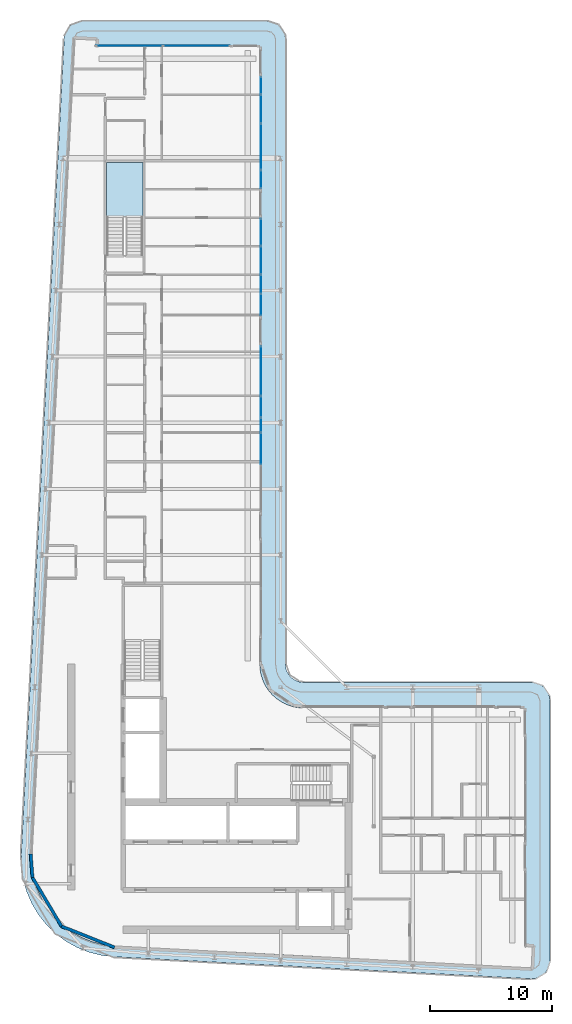
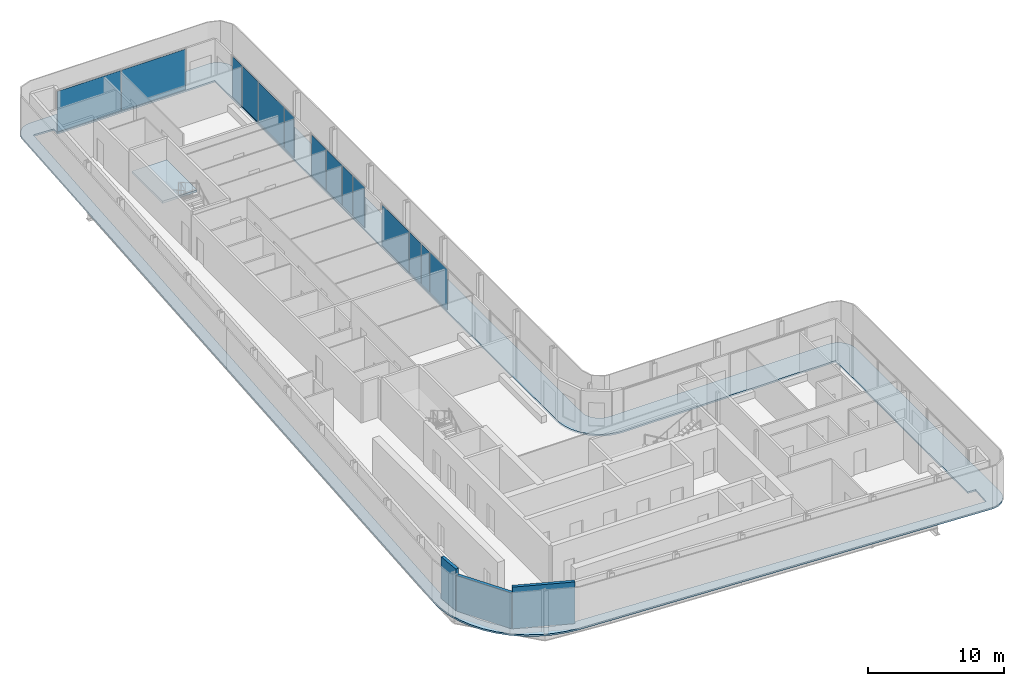
# One storey, part 10 of 21: 14 plates, 3 walls, 2 slabs, 8 elements without a shape of their own.
"""IFC4 building model written with IfcOpenShell, lengths in metres."""

from ifc_helpers import new_model, si_unit, direction, frame, frame_2d, origin, origin_2d, place, context, subcontext, project, spatial, polyline, rectangle, outline, extrude, material, layer, layer_set, type_object, element, aggregate, save


model = new_model("IFC4")

# Units and contexts
model_context = context("Model", 3, precision=1e-05, world=origin(), true_north=direction((0.0, 1.0)))
body_context = subcontext(model_context, "Body", "Model", "MODEL_VIEW")
ifc_project = project(units=[si_unit("LENGTHUNIT", "METRE"), si_unit("AREAUNIT", "SQUARE_METRE"), si_unit("VOLUMEUNIT", "CUBIC_METRE"), si_unit("PLANEANGLEUNIT", "RADIAN"), si_unit("MASSUNIT", "GRAM", prefix="KILO")], contexts=[model_context])

# Site, building, storey
site_placement = place(None, origin())
site = spatial("IfcSite", under=ifc_project, at=site_placement, CompositionType="ELEMENT")
building_placement = place(site_placement, origin())
building = spatial("IfcBuilding", under=site, at=building_placement, Name="Kheshtan School and Residences Tower", CompositionType="ELEMENT")
storey_placement = place(building_placement, frame((0.0, 0.0, 294.199951171875)))
storey = spatial("IfcBuildingStorey", under=building, at=storey_placement, Name="L69", CompositionType="ELEMENT", Elevation=294.199951171875)

# Curtain wall, plates
ifc_material_1 = material(Name="Clear low-e glass in thermally broken aluminium frame", Category="aluminium")
ifc_layer_1 = layer(ifc_material_1, 0.199951171875)
ifc_layer_set_1 = layer_set([ifc_layer_1], Name="Curtain wall CW-L")
curtain_wall_type = type_object("IfcCurtainWallType", Name="Curtain wall CW-L", PredefinedType="NOTDEFINED", material=ifc_layer_set_1)
curtain_wall_1_placement = place(storey_placement, origin())
curtain_wall_1 = element("IfcCurtainWall", 1, at=curtain_wall_1_placement, inside=storey, type_object=curtain_wall_type, Name="Curtain wall CWL7", PredefinedType="NOTDEFINED")
ifc_layer_2 = layer(ifc_material_1, 0.031982421875)
ifc_layer_set_2 = layer_set([ifc_layer_2], Name="CW-L glass panel")
plate_type = type_object("IfcPlateType", Name="CW-L glass panel", PredefinedType="CURTAIN_PANEL", material=ifc_layer_set_2)
plate_1_placement = place(storey_placement, frame((35.259033203125, 98.0, 0.0), z_axis=(0.0, 0.0, 1.0), x_axis=(1.0, 0.0, 0.0)))
plate_1 = element("IfcPlate", 2, at=plate_1_placement, type_object=plate_type, Name="CWL7 panel 1.1", PredefinedType="CURTAIN_PANEL", context=body_context, shape_type="SweptSolid", body=[
    extrude(rectangle(XDim=5.4140625, YDim=0.031982421875, at=origin_2d()), origin(), (0.0, 0.0, 1.0), 3.6298828125),
])
plate_2_placement = place(storey_placement, frame((40.73291015625, 98.0, 0.0), z_axis=(0.0, 0.0, 1.0), x_axis=(1.0, 0.0, 0.0)))
plate_2 = element("IfcPlate", 3, at=plate_2_placement, type_object=plate_type, Name="CWL7 panel 2.1", PredefinedType="CURTAIN_PANEL", context=body_context, shape_type="SweptSolid", body=[
    extrude(rectangle(XDim=5.4140625, YDim=0.031982421875, at=origin_2d()), origin(), (0.0, 0.0, 1.0), 3.6298828125),
])
aggregate(curtain_wall_1, [plate_1, plate_2])

curtain_wall_2_placement = place(storey_placement, origin())
curtain_wall_2 = element("IfcCurtainWall", 4, at=curtain_wall_2_placement, inside=storey, type_object=curtain_wall_type, Name="Curtain wall CWL8c", PredefinedType="NOTDEFINED")
plate_3_placement = place(storey_placement, frame((46.0, 94.735107421875, 0.0), z_axis=(0.0, 0.0, 1.0), x_axis=(0.0, -1.0, 0.0)))
plate_3 = element("IfcPlate", 5, at=plate_3_placement, type_object=plate_type, Name="CWL8c panel 1.1", PredefinedType="CURTAIN_PANEL", context=body_context, shape_type="SweptSolid", body=[
    extrude(rectangle(XDim=1.409912109375, YDim=0.031982421875, at=origin_2d()), origin(), (0.0, 0.0, 1.0), 3.6298828125),
])
plate_4_placement = place(storey_placement, frame((46.0, 92.826416015625, 0.0), z_axis=(0.0, 0.0, 1.0), x_axis=(0.0, -1.0, 0.0)))
plate_4 = element("IfcPlate", 6, at=plate_4_placement, type_object=plate_type, Name="CWL8c panel 2.1", PredefinedType="CURTAIN_PANEL", context=body_context, shape_type="SweptSolid", body=[
    extrude(rectangle(XDim=2.287109375, YDim=0.031982421875, at=origin_2d()), origin(), (0.0, 0.0, 1.0), 3.6298828125),
])
plate_5_placement = place(storey_placement, frame((46.0, 89.744384765625, 0.0), z_axis=(0.0, 0.0, 1.0), x_axis=(0.0, -1.0, 0.0)))
plate_5 = element("IfcPlate", 7, at=plate_5_placement, type_object=plate_type, Name="CWL8c panel 3.1", PredefinedType="CURTAIN_PANEL", context=body_context, shape_type="SweptSolid", body=[
    extrude(rectangle(XDim=3.757080078125, YDim=0.031982421875, at=origin_2d()), origin(), (0.0, 0.0, 1.0), 3.6298828125),
])
aggregate(curtain_wall_2, [plate_3, plate_4, plate_5])

# Curtain wall, plate
curtain_wall_3_placement = place(storey_placement, origin())
curtain_wall_3 = element("IfcCurtainWall", 8, at=curtain_wall_3_placement, inside=storey, type_object=curtain_wall_type, Name="Curtain wall CWL8a", PredefinedType="NOTDEFINED")
plate_6_placement = place(storey_placement, frame((46.0, 87.0859375, 0.0), z_axis=(0.0, 0.0, 1.0), x_axis=(0.0, -1.0, 0.0)))
plate_6 = element("IfcPlate", 9, at=plate_6_placement, type_object=plate_type, Name="CWL8a panel 1.1", PredefinedType="CURTAIN_PANEL", context=body_context, shape_type="SweptSolid", body=[
    extrude(rectangle(XDim=1.43994140625, YDim=0.031982421875, at=origin_2d()), origin(), (0.0, 0.0, 1.0), 3.6298828125),
])
aggregate(curtain_wall_3, [plate_6])

# Curtain wall, plates
curtain_wall_4_placement = place(storey_placement, origin())
curtain_wall_4 = element("IfcCurtainWall", 10, at=curtain_wall_4_placement, inside=storey, type_object=curtain_wall_type, Name="Curtain wall CWL8b", PredefinedType="NOTDEFINED")
plate_7_placement = place(storey_placement, frame((46.0, 82.75048828125, 0.0), z_axis=(0.0, 0.0, 1.0), x_axis=(0.0, -1.0, 0.0)))
plate_7 = element("IfcPlate", 11, at=plate_7_placement, type_object=plate_type, Name="CWL8b panel 1.1", PredefinedType="CURTAIN_PANEL", context=body_context, shape_type="SweptSolid", body=[
    extrude(rectangle(XDim=2.19091796875, YDim=0.031982421875, at=origin_2d()), origin(), (0.0, 0.0, 1.0), 3.6298828125),
])
plate_8_placement = place(storey_placement, frame((46.0, 80.46240234375, 0.0), z_axis=(0.0, 0.0, 1.0), x_axis=(0.0, -1.0, 0.0)))
plate_8 = element("IfcPlate", 12, at=plate_8_placement, type_object=plate_type, Name="CWL8b panel 2.1", PredefinedType="CURTAIN_PANEL", context=body_context, shape_type="SweptSolid", body=[
    extrude(rectangle(XDim=2.264892578125, YDim=0.031982421875, at=origin_2d()), origin(), (0.0, 0.0, 1.0), 3.6298828125),
])
plate_9_placement = place(storey_placement, frame((46.0, 78.52099609375, 0.0), z_axis=(0.0, 0.0, 1.0), x_axis=(0.0, -1.0, 0.0)))
plate_9 = element("IfcPlate", 13, at=plate_9_placement, type_object=plate_type, Name="CWL8b panel 3.1", PredefinedType="CURTAIN_PANEL", context=body_context, shape_type="SweptSolid", body=[
    extrude(rectangle(XDim=1.498046875, YDim=0.031982421875, at=origin_2d()), origin(), (0.0, 0.0, 1.0), 3.6298828125),
])
aggregate(curtain_wall_4, [plate_7, plate_8, plate_9])

# Curtain wall, plate
curtain_wall_5_placement = place(storey_placement, origin())
curtain_wall_5 = element("IfcCurtainWall", 14, at=curtain_wall_5_placement, inside=storey, type_object=curtain_wall_type, Name="Curtain wall CWL8e", PredefinedType="NOTDEFINED")
plate_10_placement = place(storey_placement, frame((46.0, 76.842041015625, 0.0), z_axis=(0.0, 0.0, 1.0), x_axis=(0.0, -1.0, 0.0)))
plate_10 = element("IfcPlate", 15, at=plate_10_placement, type_object=plate_type, Name="CWL8e panel 1.1", PredefinedType="CURTAIN_PANEL", context=body_context, shape_type="SweptSolid", body=[
    extrude(rectangle(XDim=1.739990234375, YDim=0.031982421875, at=origin_2d()), origin(), (0.0, 0.0, 1.0), 3.6298828125),
])
aggregate(curtain_wall_5, [plate_10])

# Curtain wall, plates
curtain_wall_6_placement = place(storey_placement, origin())
curtain_wall_6 = element("IfcCurtainWall", 16, at=curtain_wall_6_placement, inside=storey, type_object=curtain_wall_type, Name="Curtain wall CWL8m", PredefinedType="NOTDEFINED")
plate_11_placement = place(storey_placement, frame((46.0, 71.44091796875, 0.0), z_axis=(0.0, 0.0, 1.0), x_axis=(0.0, -1.0, 0.0)))
plate_11 = element("IfcPlate", 17, at=plate_11_placement, type_object=plate_type, Name="CWL8m panel 1.1", PredefinedType="CURTAIN_PANEL", context=body_context, shape_type="SweptSolid", body=[
    extrude(rectangle(XDim=4.02197265625, YDim=0.031982421875, at=origin_2d()), origin(), (0.0, 0.0, 1.0), 3.6298828125),
])
plate_12_placement = place(storey_placement, frame((46.0, 68.52392578125, 0.0), z_axis=(0.0, 0.0, 1.0), x_axis=(0.0, -1.0, 0.0)))
plate_12 = element("IfcPlate", 18, at=plate_12_placement, type_object=plate_type, Name="CWL8m panel 2.1", PredefinedType="CURTAIN_PANEL", context=body_context, shape_type="SweptSolid", body=[
    extrude(rectangle(XDim=1.69189453125, YDim=0.031982421875, at=origin_2d()), origin(), (0.0, 0.0, 1.0), 3.6298828125),
])
aggregate(curtain_wall_6, [plate_11, plate_12])

curtain_wall_7_placement = place(storey_placement, origin())
curtain_wall_7 = element("IfcCurtainWall", 19, at=curtain_wall_7_placement, inside=storey, type_object=curtain_wall_type, Name="Curtain wall CWL8c", PredefinedType="NOTDEFINED")
plate_13_placement = place(storey_placement, frame((46.0, 67.02392578125, 0.0), z_axis=(0.0, 0.0, 1.0), x_axis=(0.0, -1.0, 0.0)))
plate_13 = element("IfcPlate", 20, at=plate_13_placement, type_object=plate_type, Name="CWL8c panel 1.1", PredefinedType="CURTAIN_PANEL", context=body_context, shape_type="SweptSolid", body=[
    extrude(rectangle(XDim=1.18798828125, YDim=0.031982421875, at=origin_2d()), origin(), (0.0, 0.0, 1.0), 3.6298828125),
])
plate_14_placement = place(storey_placement, frame((46.0, 65.08544921875, 0.0), z_axis=(0.0, 0.0, 1.0), x_axis=(0.0, -1.0, 0.0)))
plate_14 = element("IfcPlate", 21, at=plate_14_placement, type_object=plate_type, Name="CWL8c panel 2.1", PredefinedType="CURTAIN_PANEL", context=body_context, shape_type="SweptSolid", body=[
    extrude(rectangle(XDim=2.569091796875, YDim=0.031982421875, at=origin_2d()), origin(), (0.0, 0.0, 1.0), 3.6298828125),
])
aggregate(curtain_wall_7, [plate_13, plate_14])

# Slab
ifc_material_2 = material(Name="Concrete C40/50", Category="concrete")
ifc_layer_3 = layer(ifc_material_2, 0.14990234375)
ifc_layer_set_3 = layer_set([ifc_layer_3], Name="Loggia balcony slab 150 Concrete C40/50")
slab_type_1 = type_object("IfcSlabType", Name="Loggia balcony slab 150 Concrete C40/50", PredefinedType="FLOOR", material=ifc_layer_set_3)
slab_1_placement = place(storey_placement, frame((0.0, 0.0, -0.14990234375)))
element("IfcSlab", 22, at=slab_1_placement, inside=storey, type_object=slab_type_1, Name="Loggia balcony slab L69", PredefinedType="FLOOR", context=body_context, shape_type="SweptSolid", body=[
    extrude(outline(polyline([(28.4580078125, 26.222900390625), (28.45703125, 26.222900390625), (28.45703125, 26.22412109375), (28.4560546875, 26.22412109375), (27.81494140625, 27.0390625), (27.281005859375, 27.93798828125), (26.867919921875, 28.89990234375), (26.583984375, 29.89990234375), (26.583984375, 29.906982421875), (26.43408203125, 30.943115234375), (26.419921875, 31.989013671875), (29.925048828125, 98.5791015625), (29.930908203125, 98.626953125), (29.930908203125, 98.6279296875), (29.929931640625, 98.6279296875), (29.929931640625, 98.62890625), (29.928955078125, 98.62890625), (29.928955078125, 98.6298828125), (29.927978515625, 98.6298828125), (29.927978515625, 98.631103515625), (29.927001953125, 98.631103515625), (29.927001953125, 98.632080078125), (29.927001953125, 98.633056640625), (29.945068359375, 98.781005859375), (29.945068359375, 98.783935546875), (29.945068359375, 98.784912109375), (29.946044921875, 98.784912109375), (29.946044921875, 98.785888671875), (29.947021484375, 98.785888671875), (29.947021484375, 98.787109375), (29.947998046875, 98.787109375), (29.948974609375, 98.787109375), (29.948974609375, 98.7880859375), (29.949951171875, 98.7880859375), (29.949951171875, 98.7890625), (29.949951171875, 98.791015625), (30.0029296875, 98.98388671875), (30.083984375, 99.175048828125), (30.18896484375, 99.35302734375), (30.31103515625, 99.507080078125), (30.31201171875, 99.507080078125), (30.31201171875, 99.508056640625), (30.31298828125, 99.508056640625), (30.31298828125, 99.509033203125), (30.31396484375, 99.509033203125), (30.31396484375, 99.510009765625), (30.31494140625, 99.510009765625), (30.31494140625, 99.510986328125), (30.31591796875, 99.510986328125), (30.31591796875, 99.511962890625), (30.31689453125, 99.511962890625), (30.31689453125, 99.512939453125), (30.318115234375, 99.512939453125), (30.320068359375, 99.512939453125), (30.321044921875, 99.512939453125), (30.321044921875, 99.513916015625), (30.468017578125, 99.656982421875), (30.468994140625, 99.656982421875), (30.468994140625, 99.657958984375), (30.469970703125, 99.657958984375), (30.469970703125, 99.658935546875), (30.470947265625, 99.658935546875), (30.470947265625, 99.659912109375), (30.471923828125, 99.659912109375), (30.471923828125, 99.660888671875), (30.472900390625, 99.660888671875), (30.472900390625, 99.662109375), (30.47412109375, 99.662109375), (30.47412109375, 99.6630859375), (30.47509765625, 99.6630859375), (30.47509765625, 99.6640625), (30.635986328125, 99.777099609375), (30.820068359375, 99.873046875), (31.007080078125, 99.943115234375), (31.013916015625, 99.943115234375), (31.217041015625, 99.986083984375), (31.423095703125, 100.0), (46.5, 100.0), (46.696044921875, 99.987060546875), (46.887939453125, 99.948974609375), (46.89501953125, 99.948974609375), (47.073974609375, 99.885986328125), (47.242919921875, 99.801025390625), (47.243896484375, 99.801025390625), (47.2470703125, 99.801025390625), (47.248046875, 99.801025390625), (47.248046875, 99.802001953125), (47.2490234375, 99.802001953125), (47.2490234375, 99.802978515625), (47.25, 99.802978515625), (47.2529296875, 99.802978515625), (47.25390625, 99.802978515625), (47.25390625, 99.802001953125), (47.2548828125, 99.802001953125), (47.2548828125, 99.801025390625), (47.256103515625, 99.801025390625), (47.256103515625, 99.800048828125), (47.257080078125, 99.800048828125), (47.257080078125, 99.799072265625), (47.258056640625, 99.799072265625), (47.258056640625, 99.798095703125), (47.412109375, 99.696044921875), (47.4130859375, 99.696044921875), (47.4130859375, 99.695068359375), (47.4140625, 99.695068359375), (47.4140625, 99.694091796875), (47.4140625, 99.68994140625), (47.4140625, 99.68896484375), (47.4150390625, 99.68896484375), (47.4150390625, 99.68798828125), (47.416015625, 99.68798828125), (47.416015625, 99.68701171875), (47.4169921875, 99.68701171875), (47.4169921875, 99.68603515625), (47.554931640625, 99.568115234375), (47.554931640625, 99.56689453125), (47.555908203125, 99.56689453125), (47.555908203125, 99.56591796875), (47.556884765625, 99.56591796875), (47.556884765625, 99.56494140625), (47.55810546875, 99.56494140625), (47.55810546875, 99.56396484375), (47.55908203125, 99.56396484375), (47.55908203125, 99.56298828125), (47.56005859375, 99.56298828125), (47.56005859375, 99.56201171875), (47.56103515625, 99.56201171875), (47.56201171875, 99.56103515625), (47.56201171875, 99.56005859375), (47.56298828125, 99.56005859375), (47.56298828125, 99.55908203125), (47.56396484375, 99.55908203125), (47.56396484375, 99.55810546875), (47.56494140625, 99.55810546875), (47.56494140625, 99.556884765625), (47.56591796875, 99.556884765625), (47.56591796875, 99.555908203125), (47.56689453125, 99.555908203125), (47.56689453125, 99.554931640625), (47.568115234375, 99.554931640625), (47.68505859375, 99.41796875), (47.68603515625, 99.41796875), (47.68603515625, 99.4169921875), (47.68701171875, 99.4169921875), (47.68701171875, 99.416015625), (47.68798828125, 99.416015625), (47.68798828125, 99.4150390625), (47.68896484375, 99.4150390625), (47.68896484375, 99.4140625), (47.68994140625, 99.4140625), (47.694091796875, 99.4140625), (47.695068359375, 99.4140625), (47.695068359375, 99.4130859375), (47.696044921875, 99.4130859375), (47.696044921875, 99.412109375), (47.797119140625, 99.259033203125), (47.798095703125, 99.259033203125), (47.798095703125, 99.258056640625), (47.799072265625, 99.258056640625), (47.799072265625, 99.257080078125), (47.800048828125, 99.257080078125), (47.800048828125, 99.256103515625), (47.801025390625, 99.256103515625), (47.801025390625, 99.2548828125), (47.802001953125, 99.2548828125), (47.802001953125, 99.25390625), (47.802978515625, 99.25390625), (47.802978515625, 99.2529296875), (47.802978515625, 99.25), (47.802978515625, 99.2490234375), (47.802001953125, 99.2490234375), (47.802001953125, 99.248046875), (47.801025390625, 99.248046875), (47.801025390625, 99.2470703125), (47.801025390625, 99.243896484375), (47.801025390625, 99.242919921875), (47.885986328125, 99.073974609375), (47.948974609375, 98.89501953125), (47.948974609375, 98.887939453125), (47.987060546875, 98.696044921875), (48.0, 98.5), (48.0, 47.5), (48.012939453125, 47.303955078125), (48.051025390625, 47.113037109375), (48.051025390625, 47.10693359375), (48.051025390625, 47.10595703125), (48.114013671875, 46.926025390625), (48.200927734375, 46.75), (48.31005859375, 46.5869140625), (48.431884765625, 46.444091796875), (48.43310546875, 46.444091796875), (48.43310546875, 46.443115234375), (48.43408203125, 46.443115234375), (48.43408203125, 46.44189453125), (48.43505859375, 46.44189453125), (48.43505859375, 46.44091796875), (48.43603515625, 46.44091796875), (48.43603515625, 46.43994140625), (48.43701171875, 46.43994140625), (48.43701171875, 46.43896484375), (48.43798828125, 46.43896484375), (48.43896484375, 46.43798828125), (48.43896484375, 46.43701171875), (48.43994140625, 46.43701171875), (48.43994140625, 46.43603515625), (48.44091796875, 46.43603515625), (48.44091796875, 46.43505859375), (48.44189453125, 46.43505859375), (48.44189453125, 46.43408203125), (48.443115234375, 46.43408203125), (48.443115234375, 46.43310546875), (48.444091796875, 46.43310546875), (48.444091796875, 46.431884765625), (48.5869140625, 46.31005859375), (48.75, 46.200927734375), (48.926025390625, 46.114013671875), (49.10595703125, 46.051025390625), (49.10693359375, 46.051025390625), (49.113037109375, 46.051025390625), (49.303955078125, 46.012939453125), (49.5, 46.0), (68.10009765625, 46.0), (68.2958984375, 45.987060546875), (68.488037109375, 45.948974609375), (68.4951171875, 45.948974609375), (68.674072265625, 45.885986328125), (68.842041015625, 45.801025390625), (68.843017578125, 45.801025390625), (68.846923828125, 45.801025390625), (68.847900390625, 45.801025390625), (68.847900390625, 45.802001953125), (68.84912109375, 45.802001953125), (68.84912109375, 45.802978515625), (68.85009765625, 45.802978515625), (68.85302734375, 45.802978515625), (68.85400390625, 45.802978515625), (68.85400390625, 45.802001953125), (68.85498046875, 45.802001953125), (68.85498046875, 45.801025390625), (68.85595703125, 45.801025390625), (68.85595703125, 45.800048828125), (68.85693359375, 45.800048828125), (68.85693359375, 45.799072265625), (68.85791015625, 45.799072265625), (68.85791015625, 45.798095703125), (68.85888671875, 45.798095703125), (68.85888671875, 45.797119140625), (68.860107421875, 45.797119140625), (68.860107421875, 45.7958984375), (69.011962890625, 45.696044921875), (69.012939453125, 45.696044921875), (69.012939453125, 45.695068359375), (69.013916015625, 45.695068359375), (69.013916015625, 45.694091796875), (69.013916015625, 45.68994140625), (69.013916015625, 45.68896484375), (69.014892578125, 45.68896484375), (69.014892578125, 45.68798828125), (69.01611328125, 45.68798828125), (69.01611328125, 45.68701171875), (69.01708984375, 45.68701171875), (69.01708984375, 45.68603515625), (69.01806640625, 45.68603515625), (69.01806640625, 45.68505859375), (69.01904296875, 45.68505859375), (69.01904296875, 45.68408203125), (69.155029296875, 45.568115234375), (69.155029296875, 45.56689453125), (69.156005859375, 45.56689453125), (69.156005859375, 45.56591796875), (69.156982421875, 45.56591796875), (69.156982421875, 45.56494140625), (69.157958984375, 45.56494140625), (69.157958984375, 45.56396484375), (69.158935546875, 45.56396484375), (69.158935546875, 45.56298828125), (69.159912109375, 45.56298828125), (69.159912109375, 45.56201171875), (69.160888671875, 45.56201171875), (69.162109375, 45.56103515625), (69.162109375, 45.56005859375), (69.1630859375, 45.56005859375), (69.1630859375, 45.55908203125), (69.1640625, 45.55908203125), (69.1640625, 45.55810546875), (69.1650390625, 45.55810546875), (69.1650390625, 45.556884765625), (69.166015625, 45.556884765625), (69.166015625, 45.555908203125), (69.1669921875, 45.555908203125), (69.1669921875, 45.554931640625), (69.16796875, 45.554931640625), (69.281982421875, 45.4208984375), (69.282958984375, 45.4208984375), (69.282958984375, 45.419921875), (69.283935546875, 45.419921875), (69.283935546875, 45.4189453125), (69.284912109375, 45.4189453125), (69.284912109375, 45.41796875), (69.285888671875, 45.41796875), (69.285888671875, 45.4169921875), (69.287109375, 45.4169921875), (69.287109375, 45.416015625), (69.2880859375, 45.416015625), (69.2880859375, 45.4150390625), (69.2890625, 45.4150390625), (69.2890625, 45.4140625), (69.2900390625, 45.4140625), (69.2939453125, 45.4140625), (69.294921875, 45.4140625), (69.294921875, 45.4130859375), (69.2958984375, 45.4130859375), (69.2958984375, 45.412109375), (69.39404296875, 45.261962890625), (69.39501953125, 45.261962890625), (69.39501953125, 45.260986328125), (69.39599609375, 45.260986328125), (69.39599609375, 45.260009765625), (69.39697265625, 45.260009765625), (69.39697265625, 45.259033203125), (69.39794921875, 45.259033203125), (69.39794921875, 45.258056640625), (69.39892578125, 45.258056640625), (69.39892578125, 45.257080078125), (69.39990234375, 45.257080078125), (69.39990234375, 45.256103515625), (69.40087890625, 45.256103515625), (69.40087890625, 45.2548828125), (69.402099609375, 45.2548828125), (69.402099609375, 45.25390625), (69.403076171875, 45.25390625), (69.403076171875, 45.2529296875), (69.403076171875, 45.25), (69.403076171875, 45.2490234375), (69.402099609375, 45.2490234375), (69.402099609375, 45.248046875), (69.40087890625, 45.248046875), (69.40087890625, 45.2470703125), (69.40087890625, 45.240966796875), (69.40087890625, 45.239990234375), (69.486083984375, 45.073974609375), (69.549072265625, 44.89501953125), (69.549072265625, 44.887939453125), (69.5869140625, 44.696044921875), (69.60009765625, 44.5), (69.60009765625, 23.285888671875), (69.5859375, 23.083984375), (69.544921875, 22.885009765625), (69.544921875, 22.8779296875), (69.47802734375, 22.694091796875), (69.385986328125, 22.513916015625), (69.27099609375, 22.347900390625), (69.27099609375, 22.346923828125), (69.27099609375, 22.345947265625), (69.27099609375, 22.344970703125), (69.27197265625, 22.344970703125), (69.27197265625, 22.343994140625), (69.27197265625, 22.342041015625), (69.27197265625, 22.341064453125), (69.27099609375, 22.341064453125), (69.27099609375, 22.340087890625), (69.137939453125, 22.197021484375), (69.135009765625, 22.194091796875), (69.134033203125, 22.194091796875), (69.134033203125, 22.193115234375), (69.133056640625, 22.193115234375), (69.131103515625, 22.193115234375), (69.1298828125, 22.193115234375), (69.1298828125, 22.194091796875), (69.12890625, 22.194091796875), (69.1279296875, 22.194091796875), (69.126953125, 22.194091796875), (68.97607421875, 22.069091796875), (68.803955078125, 21.9619140625), (68.618896484375, 21.87890625), (68.430908203125, 21.822021484375), (68.424072265625, 21.822021484375), (68.22412109375, 21.791015625), (68.02099609375, 21.7880859375), (33.989013671875, 23.580078125), (33.94189453125, 23.5859375), (33.94091796875, 23.5859375), (33.93994140625, 23.5859375), (33.93994140625, 23.5849609375), (33.93896484375, 23.5849609375), (33.93896484375, 23.583984375), (33.93798828125, 23.583984375), (33.93798828125, 23.5830078125), (33.93701171875, 23.5830078125), (33.93701171875, 23.58203125), (33.93603515625, 23.58203125), (33.93505859375, 23.58203125), (32.952880859375, 23.697998046875), (32.949951171875, 23.697998046875), (32.948974609375, 23.697998046875), (32.948974609375, 23.698974609375), (32.947998046875, 23.698974609375), (32.947998046875, 23.699951171875), (32.947021484375, 23.699951171875), (32.947021484375, 23.700927734375), (32.947021484375, 23.702880859375), (32.947021484375, 23.7041015625), (32.946044921875, 23.7041015625), (32.946044921875, 23.705078125), (32.945068359375, 23.705078125), (32.944091796875, 23.705078125), (31.93603515625, 23.9609375), (31.928955078125, 23.9609375), (30.964111328125, 24.34912109375), (30.051025390625, 24.860107421875), (29.218994140625, 25.47900390625), (29.218994140625, 25.47998046875), (29.218017578125, 25.47998046875), (29.218017578125, 25.48095703125), (29.217041015625, 25.48095703125), (29.217041015625, 25.48193359375), (29.216064453125, 25.48193359375), (29.216064453125, 25.48291015625), (29.215087890625, 25.48291015625), (29.215087890625, 25.48388671875), (29.214111328125, 25.48388671875), (29.214111328125, 25.485107421875), (29.212890625, 25.485107421875), (29.212890625, 25.486083984375), (29.2119140625, 25.486083984375), (28.466064453125, 26.217041015625), (28.466064453125, 26.218017578125), (28.465087890625, 26.218017578125), (28.462890625, 26.218017578125), (28.4619140625, 26.218017578125), (28.4619140625, 26.218994140625), (28.4609375, 26.218994140625), (28.4609375, 26.219970703125), (28.4599609375, 26.219970703125), (28.4599609375, 26.220947265625), (28.458984375, 26.220947265625), (28.458984375, 26.221923828125), (28.4580078125, 26.221923828125), (28.4580078125, 26.222900390625)]), holes=[polyline([(29.12890625, 26.824951171875), (29.12890625, 26.823974609375), (29.1298828125, 26.823974609375), (29.1298828125, 26.822998046875), (29.131103515625, 26.822998046875), (29.131103515625, 26.822021484375), (29.132080078125, 26.822021484375), (29.132080078125, 26.821044921875), (29.133056640625, 26.821044921875), (29.133056640625, 26.820068359375), (29.134033203125, 26.820068359375), (29.794921875, 26.173095703125), (29.794921875, 26.172119140625), (29.7958984375, 26.172119140625), (29.798095703125, 26.172119140625), (29.799072265625, 26.172119140625), (29.799072265625, 26.1708984375), (29.800048828125, 26.1708984375), (29.800048828125, 26.169921875), (29.801025390625, 26.169921875), (29.801025390625, 26.1689453125), (29.802001953125, 26.1689453125), (29.802001953125, 26.16796875), (29.802978515625, 26.16796875), (29.802978515625, 26.1669921875), (29.803955078125, 26.1669921875), (29.803955078125, 26.166015625), (30.541015625, 25.616943359375), (31.35205078125, 25.1630859375), (32.208984375, 24.819091796875), (32.2099609375, 24.819091796875), (32.216064453125, 24.819091796875), (33.114990234375, 24.590087890625), (34.06591796875, 24.47705078125), (68.0380859375, 22.68798828125), (68.06494140625, 22.68896484375), (68.06591796875, 22.68896484375), (68.06689453125, 22.68896484375), (68.06689453125, 22.68994140625), (68.068115234375, 22.68994140625), (68.068115234375, 22.69091796875), (68.068115234375, 22.69189453125), (68.157958984375, 24.381103515625), (68.157958984375, 24.382080078125), (68.157958984375, 24.383056640625), (68.156982421875, 24.383056640625), (68.156982421875, 24.384033203125), (68.156005859375, 24.384033203125), (68.155029296875, 24.384033203125), (67.5009765625, 24.4189453125), (67.5, 24.4189453125), (67.5, 24.419921875), (67.5, 43.89794921875), (67.5, 43.89892578125), (67.4990234375, 43.89892578125), (67.4990234375, 43.89990234375), (67.498046875, 43.89990234375), (49.429931640625, 43.89990234375), (49.030029296875, 43.927001953125), (48.569091796875, 44.01806640625), (48.56201171875, 44.01806640625), (48.1201171875, 44.169921875), (47.697021484375, 44.37890625), (47.30810546875, 44.638916015625), (46.95703125, 44.944091796875), (46.95703125, 44.945068359375), (46.9560546875, 44.945068359375), (46.9560546875, 44.946044921875), (46.955078125, 44.946044921875), (46.955078125, 44.947021484375), (46.9541015625, 44.947021484375), (46.9541015625, 44.947998046875), (46.952880859375, 44.947998046875), (46.952880859375, 44.948974609375), (46.951904296875, 44.948974609375), (46.951904296875, 44.949951171875), (46.951904296875, 44.950927734375), (46.950927734375, 44.950927734375), (46.950927734375, 44.951904296875), (46.949951171875, 44.951904296875), (46.948974609375, 44.951904296875), (46.948974609375, 44.952880859375), (46.947998046875, 44.952880859375), (46.947998046875, 44.9541015625), (46.947021484375, 44.9541015625), (46.947021484375, 44.955078125), (46.946044921875, 44.955078125), (46.946044921875, 44.9560546875), (46.945068359375, 44.9560546875), (46.945068359375, 44.95703125), (46.944091796875, 44.95703125), (46.638916015625, 45.30810546875), (46.37890625, 45.697021484375), (46.169921875, 46.1201171875), (46.01806640625, 46.56201171875), (46.01806640625, 46.569091796875), (45.927001953125, 47.030029296875), (45.89990234375, 47.429931640625), (45.89990234375, 97.89794921875), (45.89990234375, 97.89892578125), (45.89892578125, 97.89892578125), (45.89892578125, 97.89990234375), (45.89794921875, 97.89990234375), (32.492919921875, 97.89990234375), (32.491943359375, 97.89990234375), (32.52099609375, 98.43896484375), (32.52099609375, 98.43994140625), (32.52099609375, 98.44091796875), (32.52001953125, 98.44091796875), (32.52001953125, 98.44189453125), (32.51904296875, 98.44189453125), (32.51806640625, 98.44189453125), (30.8291015625, 98.531982421875), (30.827880859375, 98.531982421875), (30.826904296875, 98.531982421875), (30.826904296875, 98.531005859375), (30.825927734375, 98.531005859375), (30.825927734375, 98.530029296875), (30.825927734375, 98.529052734375), (30.822021484375, 98.5009765625), (27.320068359375, 31.970947265625), (27.3330078125, 31.013916015625), (27.466064453125, 30.093994140625), (27.466064453125, 30.087890625), (27.466064453125, 30.0869140625), (27.718017578125, 29.200927734375), (28.0849609375, 28.345947265625), (28.55908203125, 27.550048828125), (29.126953125, 26.825927734375), (29.1279296875, 26.825927734375), (29.1279296875, 26.824951171875), (29.12890625, 26.824951171875)])]), origin(), (0.0, 0.0, 1.0), 0.14990234375),
])

# Stair, slab
stair_type = type_object("IfcStairType", Name="Exit stair, half-turn", PredefinedType="HALF_TURN_STAIR", material=ifc_material_2)
stair_placement = place(storey_placement, origin())
stair = element("IfcStair", 23, at=stair_placement, inside=storey, type_object=stair_type, Name="L69 Protected Exit Stair ST3", PredefinedType="HALF_TURN_STAIR")
ifc_layer_4 = layer(ifc_material_2, 0.199951171875)
ifc_layer_set_4 = layer_set([ifc_layer_4], Name="Stair landing 200 Concrete C40/50")
slab_type_2 = type_object("IfcSlabType", Name="Stair landing 200 Concrete C40/50", PredefinedType="LANDING", material=ifc_layer_set_4)
slab_2_placement = place(storey_placement, frame((0.0, 0.0, 1.75)))
slab_2 = element("IfcSlab", 24, at=slab_2_placement, type_object=slab_type_2, Name="ST3 landing 1", PredefinedType="LANDING", context=body_context, shape_type="SweptSolid", body=[
    extrude(outline(polyline([(36.35009765625, 83.97998046875), (36.35009765625, 88.4599609375), (33.39990234375, 88.4599609375), (33.39990234375, 83.97998046875), (36.35009765625, 83.97998046875)])), origin(), (0.0, 0.0, 1.0), 0.199951171875),
])
aggregate(stair, [slab_2])

# Walls
ifc_material_3 = material(Name="Concrete C40/50 with ceramic cladding and mineral wool insulation", Category="concrete")
ifc_layer_5 = layer(ifc_material_3, 0.25)
ifc_layer_set_5 = layer_set([ifc_layer_5], Name="External wall 250 ceramic clad")
wall_type = type_object("IfcWallType", Name="External wall 250 ceramic clad", PredefinedType="SOLIDWALL", material=ifc_layer_set_5)
wall_1_placement = place(storey_placement, frame((34.0390625, 24.35302734375, 0.0), z_axis=(0.0, 0.0, 1.0), x_axis=(-0.929352825399, 0.369192803184, 0.0)))
element("IfcWall", 25, at=wall_1_placement, inside=storey, type_object=wall_type, Name="External wall L69 1", PredefinedType="SOLIDWALL", context=body_context, shape_type="SweptSolid", body=[
    extrude(rectangle(XDim=4.656005859375, YDim=0.25, at=frame_2d((2.328125, 0.0))), origin(), (0.0, 0.0, 1.0), 3.75),
])
wall_2_placement = place(storey_placement, frame((29.7119140625, 26.072021484375, 0.0), z_axis=(0.0, 0.0, 1.0), x_axis=(-0.511028049012, 0.859564036662, 0.0)))
element("IfcWall", 26, at=wall_2_placement, inside=storey, type_object=wall_type, Name="External wall L69 2", PredefinedType="SOLIDWALL", context=body_context, shape_type="SweptSolid", body=[
    extrude(rectangle(XDim=4.633544921875, YDim=0.25, at=frame_2d((2.31689453125, 0.0))), origin(), (0.0, 0.0, 1.0), 3.217041015625),
])
wall_3_placement = place(storey_placement, frame((27.343994140625, 30.054931640625, 0.0), z_axis=(0.0, 0.0, 1.0), x_axis=(-0.077571675317, 0.99698677784, 0.0)))
element("IfcWall", 27, at=wall_3_placement, inside=storey, type_object=wall_type, Name="External wall L69 3", PredefinedType="SOLIDWALL", context=body_context, shape_type="SweptSolid", body=[
    extrude(rectangle(XDim=1.919921875, YDim=0.25, at=frame_2d((0.9599609375, 0.0))), origin(), (0.0, 0.0, 1.0), 3.75),
])

save(model, "model.ifc")
